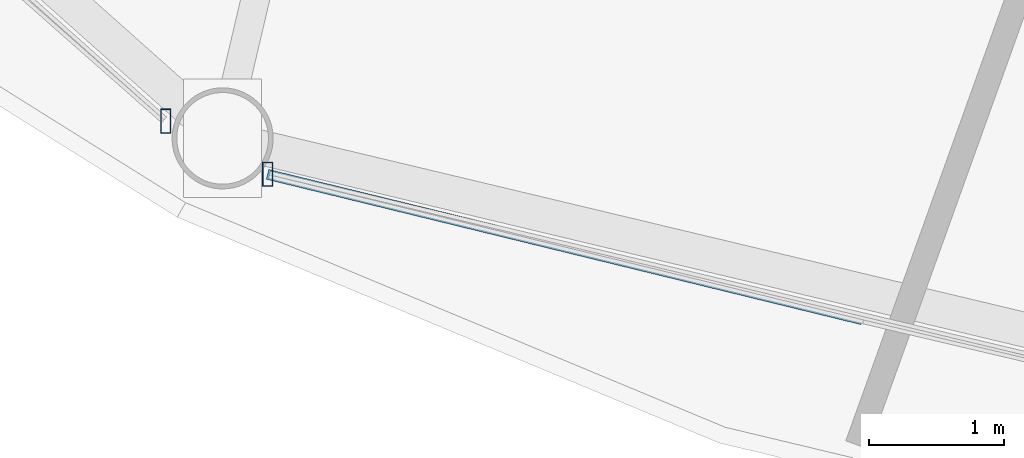
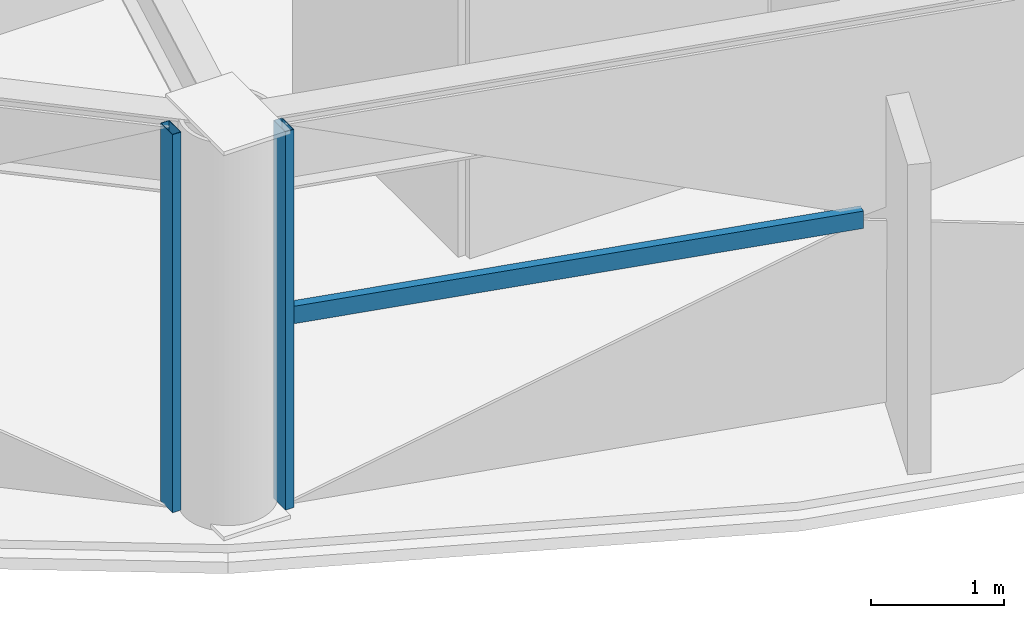
# One storey, part 2 of 30: 3 members, 2 elements without a shape of their own.
"""IFC4 building model written with IfcOpenShell, lengths in metres."""

from ifc_helpers import new_model, si_unit, direction, frame, origin, origin_2d, place, context, subcontext, project, spatial, hollow_rectangle, extrude, material, layer, layer_set, material_profile, profile_set, type_object, element, aggregate, save


model = new_model("IFC4")

# Units and contexts
model_context = context("Model", 3, precision=1e-05, world=origin(), true_north=direction((0.0, 1.0)))
body_context = subcontext(model_context, "Body", "Model", "MODEL_VIEW")
ifc_project = project(units=[si_unit("LENGTHUNIT", "METRE"), si_unit("AREAUNIT", "SQUARE_METRE"), si_unit("VOLUMEUNIT", "CUBIC_METRE"), si_unit("PLANEANGLEUNIT", "RADIAN"), si_unit("MASSUNIT", "GRAM", prefix="KILO")], contexts=[model_context])

# Site, building, storey
site_placement = place(None, origin())
site = spatial("IfcSite", under=ifc_project, at=site_placement, CompositionType="ELEMENT")
building_placement = place(site_placement, origin())
building = spatial("IfcBuilding", under=site, at=building_placement, Name="Vantalir Tower", CompositionType="ELEMENT")
storey_placement = place(building_placement, frame((0.0, 0.0, 153.449951171875)))
storey = spatial("IfcBuildingStorey", under=building, at=storey_placement, Name="L38", CompositionType="ELEMENT", Elevation=153.449951171875)

# Curtain wall, member
ifc_material_1 = material(Name="Champagne-silver PVDF aluminium and double-silver Low-E glass", Category="aluminium")
ifc_layer = layer(ifc_material_1, 0.199951171875)
ifc_layer_set = layer_set([ifc_layer], Name="Champagne-silver PVDF aluminium and double-silver Low-E glass")
curtain_wall_type = type_object("IfcCurtainWallType", Name="CW-DIAMOND-Z2", PredefinedType="USERDEFINED", material=ifc_layer_set)
curtain_wall_1_placement = place(storey_placement, origin())
curtain_wall_1 = element("IfcCurtainWall", 1, at=curtain_wall_1_placement, inside=storey, type_object=curtain_wall_type, Name="L38 Quilted Pyramid-Diamond Curtain Wall S08", ObjectType="UNITISED CURTAIN WALL", PredefinedType="USERDEFINED")
ifc_material_2 = material(Name="Champagne-silver PVDF aluminium 6063-T6", Category="aluminium")
ifc_material_profile_1 = material_profile(ifc_material_2, hollow_rectangle(XDim=0.074951171875, YDim=0.179931640625, WallThickness=0.00390625, at=origin_2d()), Name="Champagne-silver PVDF aluminium 6063-T6")
ifc_profile_set_1 = profile_set([ifc_material_profile_1], Name="Champagne-silver PVDF aluminium 6063-T6")
member_type_1 = type_object("IfcMemberType", Name="CWM-180x75", PredefinedType="MULLION", material=ifc_profile_set_1)
member_1_placement = place(storey_placement, frame((18.68505859375, 6.01611328125, 0.045166015625), z_axis=(0.0, 0.0, 1.0), x_axis=(1.0, 0.0, 0.0)))
member_1 = element("IfcMember", 2, at=member_1_placement, type_object=member_type_1, Name="CW-L38-S08 Mullion 2", PredefinedType="MULLION", context=body_context, shape_type="SweptSolid", body=[
    extrude(hollow_rectangle(XDim=0.074951171875, YDim=0.179931640625, WallThickness=0.00390625, at=origin_2d()), origin(), (0.0, 0.0, 1.0), 3.47998046875),
])
aggregate(curtain_wall_1, [member_1])

# Curtain wall, members
curtain_wall_2_placement = place(storey_placement, origin())
curtain_wall_2 = element("IfcCurtainWall", 3, at=curtain_wall_2_placement, inside=storey, type_object=curtain_wall_type, Name="L38 Quilted Pyramid-Diamond Curtain Wall S09", ObjectType="UNITISED CURTAIN WALL", PredefinedType="USERDEFINED")
member_2_placement = place(storey_placement, frame((19.44091796875, 5.62109375, 0.045166015625), z_axis=(0.0, 0.0, 1.0), x_axis=(1.0, 0.0, 0.0)))
member_2 = element("IfcMember", 4, at=member_2_placement, type_object=member_type_1, Name="CW-L38-S09 Mullion 1", PredefinedType="MULLION", context=body_context, shape_type="SweptSolid", body=[
    extrude(hollow_rectangle(XDim=0.074951171875, YDim=0.179931640625, WallThickness=0.00390625, at=origin_2d()), origin(), (0.0, 0.0, 1.0), 3.47998046875),
])
ifc_material_profile_2 = material_profile(ifc_material_2, hollow_rectangle(XDim=0.074951171875, YDim=0.159912109375, WallThickness=0.00390625, at=origin_2d()), Name="Champagne-silver PVDF aluminium 6063-T6")
ifc_profile_set_2 = profile_set([ifc_material_profile_2], Name="Champagne-silver PVDF aluminium 6063-T6")
member_type_2 = type_object("IfcMemberType", Name="CWT-160x75", PredefinedType="USERDEFINED", material=ifc_profile_set_2)
member_3_placement = place(storey_placement, frame((19.44091796875, 5.62109375, 1.78515625), z_axis=(0.971406722336, -0.237421523458, 0.0), x_axis=(0.237421523458, 0.971406722336, 0.0)))
member_3 = element("IfcMember", 5, at=member_3_placement, type_object=member_type_2, Name="CW-L38-S09 Pyramid Fold Ridge Transom", ObjectType="TRANSOM", PredefinedType="USERDEFINED", context=body_context, shape_type="SweptSolid", body=[
    extrude(hollow_rectangle(XDim=0.074951171875, YDim=0.159912109375, WallThickness=0.00390625, at=origin_2d()), origin(), (0.0, 0.0, 1.0), 4.541015625),
])
aggregate(curtain_wall_2, [member_2, member_3])

save(model, "model.ifc")
